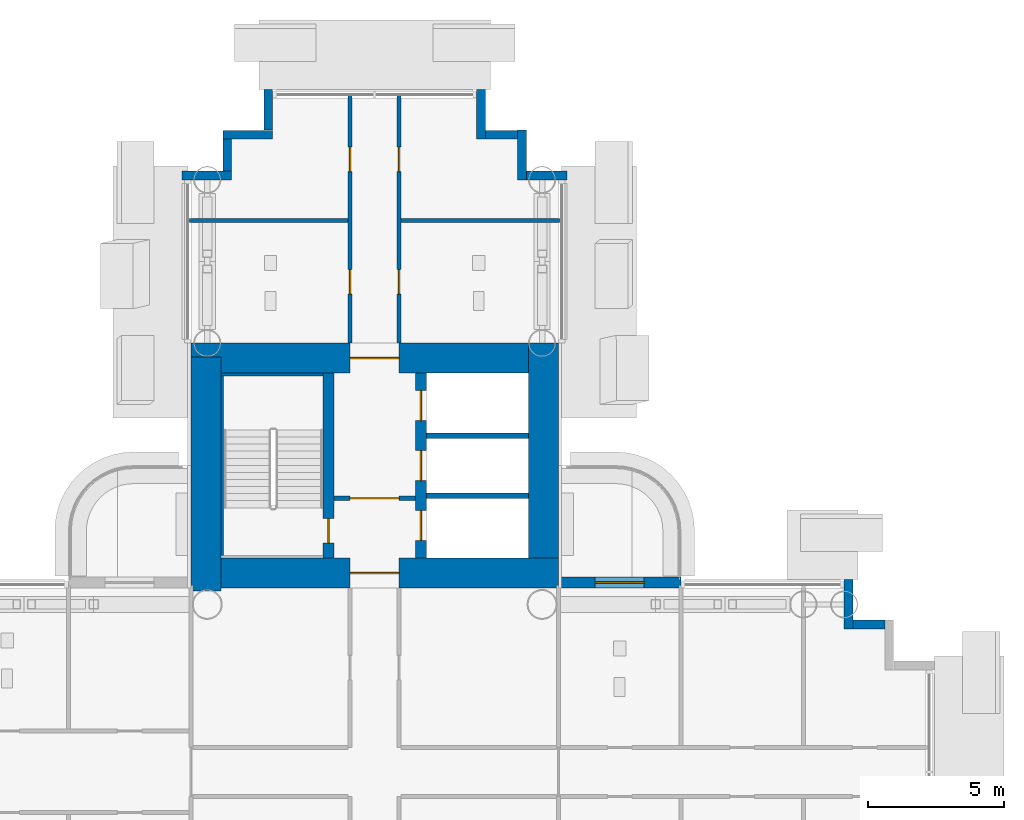
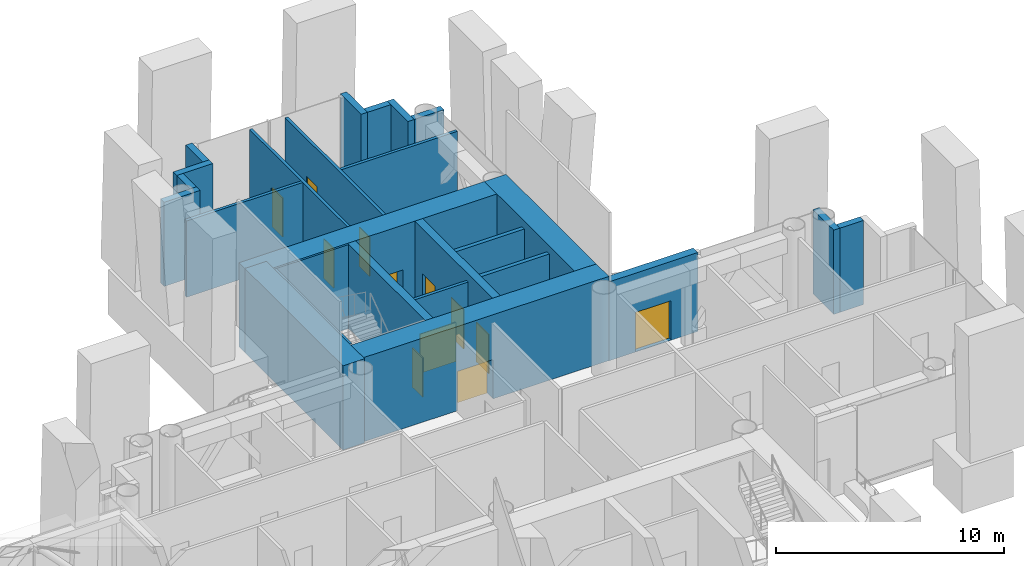
# One storey, part 18 of 27: 26 walls, 12 doors, 12 openings.
"""IFC4 building model written with IfcOpenShell, lengths in metres."""

from ifc_helpers import new_model, si_unit, direction, frame, frame_2d, origin, place, context, subcontext, project, spatial, rectangle, extrude, material, layer, layer_set, type_object, element, fill, save


model = new_model("IFC4")

# Units and contexts
model_context = context("Model", 3, precision=1e-05, world=origin(), true_north=direction((0.0, 1.0)))
body_context = subcontext(model_context, "Body", "Model", "MODEL_VIEW")
ifc_project = project(units=[si_unit("LENGTHUNIT", "METRE"), si_unit("AREAUNIT", "SQUARE_METRE"), si_unit("VOLUMEUNIT", "CUBIC_METRE"), si_unit("PLANEANGLEUNIT", "RADIAN"), si_unit("MASSUNIT", "GRAM", prefix="KILO")], contexts=[model_context])

# Site, building, storey
site_placement = place(None, origin())
site = spatial("IfcSite", under=ifc_project, at=site_placement, CompositionType="ELEMENT")
building_placement = place(site_placement, origin())
building = spatial("IfcBuilding", under=site, at=building_placement, Name="Ipe Terrace Towers", CompositionType="ELEMENT")
storey_placement = place(building_placement, frame((0.0, 0.0, 72.10009765625)))
storey = spatial("IfcBuildingStorey", under=building, at=storey_placement, Name="L19", CompositionType="ELEMENT", Elevation=72.10009765625)

# Wall, opening, door
ifc_material_1 = material(Name="Concrete C40/50 with buff precast cladding", Category="concrete")
ifc_layer_1 = layer(ifc_material_1, 0.39990234375)
ifc_layer_set_1 = layer_set([ifc_layer_1], Name="BALCONY BAY WALL 400")
wall_type_1 = type_object("IfcWallType", Name="BALCONY BAY WALL 400", PredefinedType="STANDARD", material=ifc_layer_set_1)
wall_1_placement = place(storey_placement, frame((47.25, 6.949951171875, -0.02001953125), z_axis=(0.0, 0.0, 1.0), x_axis=(-1.0, 0.0, 0.0)))
wall_1 = element("IfcWall", 1, at=wall_1_placement, inside=storey, type_object=wall_type_1, Name="T2-W-L19-18a wall", PredefinedType="STANDARD", context=body_context, shape_type="SweptSolid", body=[
    extrude(rectangle(XDim=4.5, YDim=0.39990234375, at=frame_2d((2.25, 0.0))), origin(), (0.0, 0.0, 1.0), 4.219970703125),
])
opening_1_placement = place(wall_1_placement, frame((1.35009765625, 0.0, 0.02001953125)))
opening_1 = element("IfcOpeningElement", 2, at=opening_1_placement, cuts=wall_1, Name="Opening T2-D-L19-18", PredefinedType="OPENING", context=body_context, shape_type="SweptSolid", body=[
    extrude(rectangle(XDim=1.800048828125, YDim=2.10009765625, at=frame_2d((0.89990234375, 1.050048828125))), frame((0.0, 0.2099609375, 0.0), z_axis=(0.0, -1.0, 0.0), x_axis=(1.0, 0.0, 0.0)), (0.0, 0.0, 1.0), 0.419921875),
])
ifc_material_2 = material(Name="Aluminium alloy 6063-T6 framed glazed door", Category="aluminium")
door_type_1 = type_object("IfcDoorType", Name="BALCONY DOOR 1800 x 2100 RIGHT", OperationType="SINGLE_SWING_RIGHT", PredefinedType="DOOR", material=ifc_material_2)
door_1_placement = place(opening_1_placement, origin())
door_1 = element("IfcDoor", 3, at=door_1_placement, inside=storey, type_object=door_type_1, Name="DB2 door", OperationType="SINGLE_SWING_RIGHT", OverallHeight=2.10009765625, OverallWidth=1.800048828125, PredefinedType="DOOR", context=body_context, shape_type="SweptSolid", body=[
    extrude(rectangle(XDim=1.800048828125, YDim=2.10009765625, at=frame_2d((0.89990234375, 1.050048828125))), frame((0.0, 0.02490234375, 0.0), z_axis=(0.0, -1.0, 0.0), x_axis=(1.0, 0.0, 0.0)), (0.0, 0.0, 1.0), 0.050048828125),
])
fill(opening_1, door_1)

# Walls
ifc_material_3 = material(Name="Concrete C40/50 with buff precast cladding", Category="concrete")
ifc_layer_2 = layer(ifc_material_3, 0.320068359375)
ifc_layer_set_2 = layer_set([ifc_layer_2], Name="BUFF CLADDING WALL 320")
wall_type_2 = type_object("IfcWallType", Name="BUFF CLADDING WALL 320", PredefinedType="STANDARD", material=ifc_layer_set_2)
wall_2_placement = place(storey_placement, frame((54.75, 5.409912109375, -0.300048828125), z_axis=(0.0, 0.0, 1.0), x_axis=(-1.0, 0.0, 0.0)))
element("IfcWall", 4, at=wall_2_placement, inside=storey, type_object=wall_type_2, Name="T2-W-L19-15a wall", PredefinedType="STANDARD", context=body_context, shape_type="SweptSolid", body=[
    extrude(rectangle(XDim=1.179931640625, YDim=0.320068359375, at=frame_2d((0.58984375, 0.0))), origin(), (0.0, 0.0, 1.0), 4.5),
])
wall_3_placement = place(storey_placement, frame((53.409912109375, 5.25, -0.300048828125), z_axis=(0.0, 0.0, 1.0), x_axis=(0.0, 1.0, 0.0)))
element("IfcWall", 5, at=wall_3_placement, inside=storey, type_object=wall_type_2, Name="T2-W-L19-16a wall", PredefinedType="STANDARD", context=body_context, shape_type="SweptSolid", body=[
    extrude(rectangle(XDim=1.820068359375, YDim=0.320068359375, at=frame_2d((0.91015625, 0.0))), origin(), (0.0, 0.0, 1.0), 4.5),
])
wall_4_placement = place(storey_placement, frame((43.070068359375, 21.909912109375, -0.300048828125), z_axis=(0.0, 0.0, 1.0), x_axis=(-1.0, 0.0, 0.0)))
element("IfcWall", 6, at=wall_4_placement, inside=storey, type_object=wall_type_2, Name="T2-W-L19-21a wall", PredefinedType="STANDARD", context=body_context, shape_type="SweptSolid", body=[
    extrude(rectangle(XDim=1.5, YDim=0.320068359375, at=frame_2d((0.75, 0.0))), origin(), (0.0, 0.0, 1.0), 4.5),
])
wall_5_placement = place(storey_placement, frame((41.409912109375, 21.75, -0.300048828125), z_axis=(0.0, 0.0, 1.0), x_axis=(0.0, 1.0, 0.0)))
element("IfcWall", 7, at=wall_5_placement, inside=storey, type_object=wall_type_2, Name="T2-W-L19-22a wall", PredefinedType="STANDARD", context=body_context, shape_type="SweptSolid", body=[
    extrude(rectangle(XDim=1.820068359375, YDim=0.320068359375, at=frame_2d((0.91015625, 0.0))), origin(), (0.0, 0.0, 1.0), 4.5),
])
wall_6_placement = place(storey_placement, frame((41.25, 23.409912109375, -0.300048828125), z_axis=(0.0, 0.0, 1.0), x_axis=(-1.0, 0.0, 0.0)))
element("IfcWall", 8, at=wall_6_placement, inside=storey, type_object=wall_type_2, Name="T2-W-L19-23a wall", PredefinedType="STANDARD", context=body_context, shape_type="SweptSolid", body=[
    extrude(rectangle(XDim=1.179931640625, YDim=0.320068359375, at=frame_2d((0.58984375, 0.0))), origin(), (0.0, 0.0, 1.0), 4.5),
])
wall_7_placement = place(storey_placement, frame((39.909912109375, 23.25, -0.300048828125), z_axis=(0.0, 0.0, 1.0), x_axis=(0.0, 1.0, 0.0)))
element("IfcWall", 9, at=wall_7_placement, inside=storey, type_object=wall_type_2, Name="T2-W-L19-24a wall", PredefinedType="STANDARD", context=body_context, shape_type="SweptSolid", body=[
    extrude(rectangle(XDim=1.820068359375, YDim=0.320068359375, at=frame_2d((0.91015625, 0.0))), origin(), (0.0, 0.0, 1.0), 4.5),
])
wall_8_placement = place(storey_placement, frame((32.090087890625, 25.070068359375, -0.300048828125), z_axis=(0.0, 0.0, 1.0), x_axis=(0.0, -1.0, 0.0)))
element("IfcWall", 10, at=wall_8_placement, inside=storey, type_object=wall_type_2, Name="T2-W-L19-26a wall", PredefinedType="STANDARD", context=body_context, shape_type="SweptSolid", body=[
    extrude(rectangle(XDim=1.5, YDim=0.320068359375, at=frame_2d((0.75, 0.0))), origin(), (0.0, 0.0, 1.0), 4.5),
])
wall_9_placement = place(storey_placement, frame((32.25, 23.409912109375, -0.300048828125), z_axis=(0.0, 0.0, 1.0), x_axis=(-1.0, 0.0, 0.0)))
element("IfcWall", 11, at=wall_9_placement, inside=storey, type_object=wall_type_2, Name="T2-W-L19-27a wall", PredefinedType="STANDARD", context=body_context, shape_type="SweptSolid", body=[
    extrude(rectangle(XDim=1.820068359375, YDim=0.320068359375, at=frame_2d((0.91015625, 0.0))), origin(), (0.0, 0.0, 1.0), 4.5),
])
wall_10_placement = place(storey_placement, frame((30.590087890625, 23.25, -0.300048828125), z_axis=(0.0, 0.0, 1.0), x_axis=(0.0, -1.0, 0.0)))
element("IfcWall", 12, at=wall_10_placement, inside=storey, type_object=wall_type_2, Name="T2-W-L19-28a wall", PredefinedType="STANDARD", context=body_context, shape_type="SweptSolid", body=[
    extrude(rectangle(XDim=1.179931640625, YDim=0.320068359375, at=frame_2d((0.58984375, 0.0))), origin(), (0.0, 0.0, 1.0), 4.5),
])
wall_11_placement = place(storey_placement, frame((30.75, 21.909912109375, -0.300048828125), z_axis=(0.0, 0.0, 1.0), x_axis=(-1.0, 0.0, 0.0)))
element("IfcWall", 13, at=wall_11_placement, inside=storey, type_object=wall_type_2, Name="T2-W-L19-29a wall", PredefinedType="STANDARD", context=body_context, shape_type="SweptSolid", body=[
    extrude(rectangle(XDim=1.820068359375, YDim=0.320068359375, at=frame_2d((0.91015625, 0.0))), origin(), (0.0, 0.0, 1.0), 4.5),
])

# Wall, opening, door
ifc_material_4 = material(Name="Gypsum board partition", Category="plasterboard")
ifc_layer_3 = layer(ifc_material_4, 0.14990234375)
ifc_layer_set_3 = layer_set([ifc_layer_3], Name="Gypsum board partition 150 mm")
wall_type_3 = type_object("IfcWallType", Name="Gypsum board partition 150 mm", PredefinedType="PARTITIONING", material=ifc_layer_set_3)
wall_12_placement = place(storey_placement, frame((37.5, 10.050048828125, 0.0), z_axis=(0.0, 0.0, 1.0), x_axis=(-1.0, 0.0, 0.0)))
wall_12 = element("IfcWall", 14, at=wall_12_placement, inside=storey, type_object=wall_type_3, Name="Gypsum board partition T2 L19 t2c1-lobby-wall", PredefinedType="PARTITIONING", context=body_context, shape_type="SweptSolid", body=[
    extrude(rectangle(XDim=3.0, YDim=0.14990234375, at=frame_2d((1.5, 0.0))), origin(), (0.0, 0.0, 1.0), 4.079833984375),
])
opening_2_placement = place(wall_12_placement, frame((0.60009765625, 0.0, 0.0)))
opening_2 = element("IfcOpeningElement", 15, at=opening_2_placement, cuts=wall_12, Name="Opening T2C1-VD", PredefinedType="OPENING", context=body_context, shape_type="SweptSolid", body=[
    extrude(rectangle(XDim=1.800048828125, YDim=2.10009765625, at=frame_2d((0.89990234375, 1.050048828125))), frame((0.0, 0.0849609375, 0.0), z_axis=(0.0, -1.0, 0.0), x_axis=(1.0, 0.0, 0.0)), (0.0, 0.0, 1.0), 0.169921875),
])
ifc_material_5 = material(Name="Fire-rated timber door leaf", Category="wood")
door_type_2 = type_object("IfcDoorType", Name="Lobby door 1800 x 2100 FD60", OperationType="NOTDEFINED", PredefinedType="DOOR", material=ifc_material_5)
door_2_placement = place(opening_2_placement, origin())
door_2 = element("IfcDoor", 16, at=door_2_placement, inside=storey, type_object=door_type_2, Name="Lobby door T2C1-VD", OperationType="SINGLE_SWING_LEFT", OverallHeight=2.10009765625, OverallWidth=1.800048828125, PredefinedType="DOOR", context=body_context, shape_type="SweptSolid", body=[
    extrude(rectangle(XDim=1.800048828125, YDim=2.10009765625, at=frame_2d((0.89990234375, 1.050048828125))), frame((0.0, 0.02490234375, 0.0), z_axis=(0.0, -1.0, 0.0), x_axis=(1.0, 0.0, 0.0)), (0.0, 0.0, 1.0), 0.050048828125),
])
fill(opening_2, door_2)

# Wall, openings, doors
wall_13_placement = place(storey_placement, frame((35.10009765625, 15.75, 0.0), z_axis=(0.0, 0.0, 1.0), x_axis=(0.0, 1.0, 0.0)))
wall_13 = element("IfcWall", 17, at=wall_13_placement, inside=storey, type_object=wall_type_3, Name="Gypsum board partition T2 L19 sp-Lp-wp", PredefinedType="PARTITIONING", context=body_context, shape_type="SweptSolid", body=[
    extrude(rectangle(XDim=9.10009765625, YDim=0.14990234375, at=frame_2d((4.550048828125, 0.0))), origin(), (0.0, 0.0, 1.0), 4.079833984375),
])
opening_3_placement = place(wall_13_placement, frame((1.800048828125, 0.0, 0.0)))
opening_3 = element("IfcOpeningElement", 18, at=opening_3_placement, cuts=wall_13, Name="Opening T2-SP-PLp1", PredefinedType="OPENING", context=body_context, shape_type="SweptSolid", body=[
    extrude(rectangle(XDim=0.89990234375, YDim=2.10009765625, at=frame_2d((0.449951171875, 1.050048828125))), frame((0.0, 0.0849609375, 0.0), z_axis=(0.0, -1.0, 0.0), x_axis=(1.0, 0.0, 0.0)), (0.0, 0.0, 1.0), 0.169921875),
])
opening_4_placement = place(wall_13_placement, frame((6.300048828125, 0.0, 0.0)))
opening_4 = element("IfcOpeningElement", 19, at=opening_4_placement, cuts=wall_13, Name="Opening T2-SP-PLp2", PredefinedType="OPENING", context=body_context, shape_type="SweptSolid", body=[
    extrude(rectangle(XDim=0.89990234375, YDim=2.10009765625, at=frame_2d((0.449951171875, 1.050048828125))), frame((0.0, 0.0849609375, 0.0), z_axis=(0.0, -1.0, 0.0), x_axis=(1.0, 0.0, 0.0)), (0.0, 0.0, 1.0), 0.169921875),
])
ifc_material_6 = material(Name="Timber door leaf", Category="wood")
door_type_3 = type_object("IfcDoorType", Name="Lounge door 900 x 2100", OperationType="NOTDEFINED", PredefinedType="DOOR", material=ifc_material_6)
door_3_placement = place(opening_3_placement, origin())
door_3 = element("IfcDoor", 20, at=door_3_placement, inside=storey, type_object=door_type_3, Name="Lounge door T2-SP-PLp1", OperationType="SINGLE_SWING_RIGHT", OverallHeight=2.10009765625, OverallWidth=0.89990234375, PredefinedType="DOOR", context=body_context, shape_type="SweptSolid", body=[
    extrude(rectangle(XDim=0.89990234375, YDim=2.10009765625, at=frame_2d((0.449951171875, 1.050048828125))), frame((0.0, 0.02490234375, 0.0), z_axis=(0.0, -1.0, 0.0), x_axis=(1.0, 0.0, 0.0)), (0.0, 0.0, 1.0), 0.050048828125),
])
fill(opening_3, door_3)
ifc_material_7 = material(Name="Fire-rated timber door leaf", Category="wood")
door_type_4 = type_object("IfcDoorType", Name="Lounge door 900 x 2100 FD30S", OperationType="NOTDEFINED", PredefinedType="DOOR", material=ifc_material_7)
door_4_placement = place(opening_4_placement, origin())
door_4 = element("IfcDoor", 21, at=door_4_placement, inside=storey, type_object=door_type_4, Name="Lounge door T2-SP-PLp2", OperationType="SINGLE_SWING_LEFT", OverallHeight=2.10009765625, OverallWidth=0.89990234375, PredefinedType="DOOR", context=body_context, shape_type="SweptSolid", body=[
    extrude(rectangle(XDim=0.89990234375, YDim=2.10009765625, at=frame_2d((0.449951171875, 1.050048828125))), frame((0.0, 0.02490234375, 0.0), z_axis=(0.0, -1.0, 0.0), x_axis=(1.0, 0.0, 0.0)), (0.0, 0.0, 1.0), 0.050048828125),
])
fill(opening_4, door_4)

# Wall
wall_14_placement = place(storey_placement, frame((35.02490234375, 20.25, 0.0), z_axis=(0.0, 0.0, 1.0), x_axis=(-1.0, 0.0, 0.0)))
element("IfcWall", 22, at=wall_14_placement, inside=storey, type_object=wall_type_3, Name="Gypsum board partition T2 L19 sp-Lp-dp1", PredefinedType="PARTITIONING", context=body_context, shape_type="SweptSolid", body=[
    extrude(rectangle(XDim=5.875, YDim=0.14990234375, at=frame_2d((2.9375, 0.0))), origin(), (0.0, 0.0, 1.0), 4.079833984375),
])

# Wall, openings, doors
wall_15_placement = place(storey_placement, frame((36.89990234375, 15.75, 0.0), z_axis=(0.0, 0.0, 1.0), x_axis=(0.0, 1.0, 0.0)))
wall_15 = element("IfcWall", 23, at=wall_15_placement, inside=storey, type_object=wall_type_3, Name="Gypsum board partition T2 L19 sp-Lp-wm", PredefinedType="PARTITIONING", context=body_context, shape_type="SweptSolid", body=[
    extrude(rectangle(XDim=9.10009765625, YDim=0.14990234375, at=frame_2d((4.550048828125, 0.0))), origin(), (0.0, 0.0, 1.0), 4.079833984375),
])
opening_5_placement = place(wall_15_placement, frame((1.800048828125, 0.0, 0.0)))
opening_5 = element("IfcOpeningElement", 24, at=opening_5_placement, cuts=wall_15, Name="Opening T2-SP-MLp1", PredefinedType="OPENING", context=body_context, shape_type="SweptSolid", body=[
    extrude(rectangle(XDim=0.89990234375, YDim=2.10009765625, at=frame_2d((0.449951171875, 1.050048828125))), frame((0.0, 0.0849609375, 0.0), z_axis=(0.0, -1.0, 0.0), x_axis=(1.0, 0.0, 0.0)), (0.0, 0.0, 1.0), 0.169921875),
])
opening_6_placement = place(wall_15_placement, frame((6.300048828125, 0.0, 0.0)))
opening_6 = element("IfcOpeningElement", 25, at=opening_6_placement, cuts=wall_15, Name="Opening T2-SP-MLp2", PredefinedType="OPENING", context=body_context, shape_type="SweptSolid", body=[
    extrude(rectangle(XDim=0.89990234375, YDim=2.10009765625, at=frame_2d((0.449951171875, 1.050048828125))), frame((0.0, 0.0849609375, 0.0), z_axis=(0.0, -1.0, 0.0), x_axis=(1.0, 0.0, 0.0)), (0.0, 0.0, 1.0), 0.169921875),
])
door_5_placement = place(opening_5_placement, origin())
door_5 = element("IfcDoor", 26, at=door_5_placement, inside=storey, type_object=door_type_3, Name="Lounge door T2-SP-MLp1", OperationType="SINGLE_SWING_LEFT", OverallHeight=2.10009765625, OverallWidth=0.89990234375, PredefinedType="DOOR", context=body_context, shape_type="SweptSolid", body=[
    extrude(rectangle(XDim=0.89990234375, YDim=2.10009765625, at=frame_2d((0.449951171875, 1.050048828125))), frame((0.0, 0.02490234375, 0.0), z_axis=(0.0, -1.0, 0.0), x_axis=(1.0, 0.0, 0.0)), (0.0, 0.0, 1.0), 0.050048828125),
])
fill(opening_5, door_5)
door_6_placement = place(opening_6_placement, origin())
door_6 = element("IfcDoor", 27, at=door_6_placement, inside=storey, type_object=door_type_4, Name="Lounge door T2-SP-MLp2", OperationType="SINGLE_SWING_RIGHT", OverallHeight=2.10009765625, OverallWidth=0.89990234375, PredefinedType="DOOR", context=body_context, shape_type="SweptSolid", body=[
    extrude(rectangle(XDim=0.89990234375, YDim=2.10009765625, at=frame_2d((0.449951171875, 1.050048828125))), frame((0.0, 0.02490234375, 0.0), z_axis=(0.0, -1.0, 0.0), x_axis=(1.0, 0.0, 0.0)), (0.0, 0.0, 1.0), 0.050048828125),
])
fill(opening_6, door_6)

# Walls
wall_16_placement = place(storey_placement, frame((36.97509765625, 20.25, 0.0), z_axis=(0.0, 0.0, 1.0), x_axis=(1.0, 0.0, 0.0)))
element("IfcWall", 28, at=wall_16_placement, inside=storey, type_object=wall_type_3, Name="Gypsum board partition T2 L19 sp-Lp-dm1", PredefinedType="PARTITIONING", context=body_context, shape_type="SweptSolid", body=[
    extrude(rectangle(XDim=5.875, YDim=0.14990234375, at=frame_2d((2.9375, 0.0))), origin(), (0.0, 0.0, 1.0), 4.079833984375),
])
ifc_material_8 = material(Name="Gypsum board party wall", Category="plasterboard")
ifc_layer_4 = layer(ifc_material_8, 0.199951171875)
ifc_layer_set_4 = layer_set([ifc_layer_4], Name="Gypsum board party wall 200 mm")
wall_type_4 = type_object("IfcWallType", Name="Gypsum board party wall 200 mm", PredefinedType="SOLIDWALL", material=ifc_layer_set_4)
for number, where, z_axis, x_axis, name in (
    (29, (41.64990234375, 10.14990234375, 0.0), (0.0, 0.0, 1.0), (-1.0, 0.0, 0.0), "Gypsum board party wall T2 L19 t2c1-shaft-div1"),
    (30, (41.64990234375, 12.35009765625, 0.0), (0.0, 0.0, 1.0), (-1.0, 0.0, 0.0), "Gypsum board party wall T2 L19 t2c1-shaft-div2"),
):
    element("IfcWall", number, at=place(storey_placement, frame(where, z_axis=z_axis, x_axis=x_axis)), inside=storey, type_object=wall_type_4, Name=name, PredefinedType="SOLIDWALL", context=body_context, shape_type="SweptSolid", body=[
        extrude(rectangle(XDim=3.75, YDim=0.199951171875, at=frame_2d((1.875, 0.0))), origin(), (0.0, 0.0, 1.0), 4.079833984375),
    ])
ifc_material_9 = material(Name="Concrete C60/75", Category="concrete")
ifc_layer_5 = layer(ifc_material_9, 0.10009765625)
ifc_layer_set_5 = layer_set([ifc_layer_5], Name="RW100 CORE INFILL WALL 100 C60-75")
wall_type_5 = type_object("IfcWallType", Name="RW100 CORE INFILL WALL 100 C60-75", PredefinedType="SHEAR", material=ifc_layer_set_5)
wall_17_placement = place(storey_placement, frame((34.10009765625, 14.60009765625, 0.0), z_axis=(0.0, 0.0, 1.0), x_axis=(-1.0, 0.0, 0.0)))
element("IfcWall", 31, at=wall_17_placement, inside=storey, type_object=wall_type_5, Name="Core infill wall T2-C1-far", PredefinedType="SHEAR", context=body_context, shape_type="SweptSolid", body=[
    extrude(rectangle(XDim=3.75, YDim=0.10009765625, at=frame_2d((1.875, 0.0))), origin(), (0.0, 0.0, 1.0), 4.5),
])
wall_18_placement = place(storey_placement, frame((30.39990234375, 7.949951171875, 0.0), z_axis=(0.0, 0.0, 1.0), x_axis=(0.0, 1.0, 0.0)))
element("IfcWall", 32, at=wall_18_placement, inside=storey, type_object=wall_type_5, Name="Core infill wall T2-C1-back", PredefinedType="SHEAR", context=body_context, shape_type="SweptSolid", body=[
    extrude(rectangle(XDim=6.60009765625, YDim=0.10009765625, at=frame_2d((3.300048828125, 0.0))), origin(), (0.0, 0.0, 1.0), 4.5),
])

# Wall, opening, door
ifc_material_10 = material(Name="Concrete C60/75", Category="concrete")
ifc_layer_6 = layer(ifc_material_10, 1.10009765625)
ifc_layer_set_6 = layer_set([ifc_layer_6], Name="RW1100 CORE WALL 1100 C60-75")
wall_type_6 = type_object("IfcWallType", Name="RW1100 CORE WALL 1100 C60-75", PredefinedType="SHEAR", material=ifc_layer_set_6)
wall_19_placement = place(storey_placement, frame((30.35009765625, 7.300048828125, 0.0), z_axis=(0.0, 0.0, 1.0), x_axis=(1.0, 0.0, 0.0)))
wall_19 = element("IfcWall", 33, at=wall_19_placement, inside=storey, type_object=wall_type_6, Name="Core wall T2-C1-Z1-W01", PredefinedType="SHEAR", context=body_context, shape_type="SweptSolid", body=[
    extrude(rectangle(XDim=12.39990234375, YDim=1.10009765625, at=frame_2d((6.199951171875, 0.0))), origin(), (0.0, 0.0, 1.0), 4.5),
])
opening_7_placement = place(wall_19_placement, frame((4.75, 0.0, 0.0)))
opening_7 = element("IfcOpeningElement", 34, at=opening_7_placement, cuts=wall_19, Name="Opening T2C1-ND", PredefinedType="OPENING", context=body_context, shape_type="SweptSolid", body=[
    extrude(rectangle(XDim=1.800048828125, YDim=2.10009765625, at=frame_2d((0.89990234375, 1.050048828125))), frame((0.0, 0.56005859375, 0.0), z_axis=(0.0, -1.0, 0.0), x_axis=(1.0, 0.0, 0.0)), (0.0, 0.0, 1.0), 1.1201171875),
])
ifc_material_11 = material(Name="Fire-rated timber door leaf", Category="wood")
door_type_5 = type_object("IfcDoorType", Name="Fire door 1800 x 2100 FD30S", OperationType="NOTDEFINED", PredefinedType="DOOR", material=ifc_material_11)
door_7_placement = place(opening_7_placement, origin())
door_7 = element("IfcDoor", 35, at=door_7_placement, inside=storey, type_object=door_type_5, Name="Fire door T2C1-ND", OperationType="SINGLE_SWING_LEFT", OverallHeight=2.10009765625, OverallWidth=1.800048828125, PredefinedType="DOOR", context=body_context, shape_type="SweptSolid", body=[
    extrude(rectangle(XDim=1.800048828125, YDim=2.10009765625, at=frame_2d((0.89990234375, 1.050048828125))), frame((0.0, 0.02490234375, 0.0), z_axis=(0.0, -1.0, 0.0), x_axis=(1.0, 0.0, 0.0)), (0.0, 0.0, 1.0), 0.050048828125),
])
fill(opening_7, door_7)

# Wall
wall_20_placement = place(storey_placement, frame((42.199951171875, 7.85009765625, 0.0), z_axis=(0.0, 0.0, 1.0), x_axis=(0.0, 1.0, 0.0)))
element("IfcWall", 36, at=wall_20_placement, inside=storey, type_object=wall_type_6, Name="Core wall T2-C1-Z1-W02", PredefinedType="SHEAR", context=body_context, shape_type="SweptSolid", body=[
    extrude(rectangle(XDim=7.89990234375, YDim=1.10009765625, at=frame_2d((3.949951171875, 0.0))), origin(), (0.0, 0.0, 1.0), 4.5),
])

# Wall, opening, door
wall_21_placement = place(storey_placement, frame((41.64990234375, 15.199951171875, 0.0), z_axis=(0.0, 0.0, 1.0), x_axis=(-1.0, 0.0, 0.0)))
wall_21 = element("IfcWall", 37, at=wall_21_placement, inside=storey, type_object=wall_type_6, Name="Core wall T2-C1-Z1-W03", PredefinedType="SHEAR", context=body_context, shape_type="SweptSolid", body=[
    extrude(rectangle(XDim=12.39990234375, YDim=1.10009765625, at=frame_2d((6.199951171875, 0.0))), origin(), (0.0, 0.0, 1.0), 4.5),
])
opening_8_placement = place(wall_21_placement, frame((4.75, 0.0, 0.0)))
opening_8 = element("IfcOpeningElement", 38, at=opening_8_placement, cuts=wall_21, Name="Opening T2C1-FD", PredefinedType="OPENING", context=body_context, shape_type="SweptSolid", body=[
    extrude(rectangle(XDim=1.800048828125, YDim=2.10009765625, at=frame_2d((0.89990234375, 1.050048828125))), frame((0.0, 0.56005859375, 0.0), z_axis=(0.0, -1.0, 0.0), x_axis=(1.0, 0.0, 0.0)), (0.0, 0.0, 1.0), 1.1201171875),
])
door_8_placement = place(opening_8_placement, origin())
door_8 = element("IfcDoor", 39, at=door_8_placement, inside=storey, type_object=door_type_5, Name="Fire door T2C1-FD", OperationType="SINGLE_SWING_LEFT", OverallHeight=2.10009765625, OverallWidth=1.800048828125, PredefinedType="DOOR", context=body_context, shape_type="SweptSolid", body=[
    extrude(rectangle(XDim=1.800048828125, YDim=2.10009765625, at=frame_2d((0.89990234375, 1.050048828125))), frame((0.0, 0.02490234375, 0.0), z_axis=(0.0, -1.0, 0.0), x_axis=(1.0, 0.0, 0.0)), (0.0, 0.0, 1.0), 0.050048828125),
])
fill(opening_8, door_8)

# Wall
wall_22_placement = place(storey_placement, frame((29.800048828125, 15.248046875, 0.0), z_axis=(0.0, 0.0, 1.0), x_axis=(0.0, -1.0, 0.0)))
element("IfcWall", 40, at=wall_22_placement, inside=storey, type_object=wall_type_6, Name="Core wall T2-C1-Z1-W04", PredefinedType="SHEAR", context=body_context, shape_type="SweptSolid", body=[
    extrude(rectangle(XDim=8.595947265625, YDim=1.10009765625, at=frame_2d((4.2978515625, 0.0))), origin(), (0.0, 0.0, 1.0), 4.5),
])

# Wall, opening, door
ifc_material_12 = material(Name="Concrete C60/75", Category="concrete")
ifc_layer_7 = layer(ifc_material_12, 0.39990234375)
ifc_layer_set_7 = layer_set([ifc_layer_7], Name="RW400 CORE SPINE WALL 400 C60-75")
wall_type_7 = type_object("IfcWallType", Name="RW400 CORE SPINE WALL 400 C60-75", PredefinedType="SHEAR", material=ifc_layer_set_7)
wall_23_placement = place(storey_placement, frame((34.300048828125, 7.85009765625, 0.0), z_axis=(0.0, 0.0, 1.0), x_axis=(0.0, 1.0, 0.0)))
wall_23 = element("IfcWall", 41, at=wall_23_placement, inside=storey, type_object=wall_type_7, Name="Core spine wall T2-C1-Z1-SW1", PredefinedType="SHEAR", context=body_context, shape_type="SweptSolid", body=[
    extrude(rectangle(XDim=6.7998046875, YDim=0.39990234375, at=frame_2d((3.39990234375, 0.0))), origin(), (0.0, 0.0, 1.0), 4.5),
])
opening_9_placement = place(wall_23_placement, frame((0.550048828125, 0.0, 0.0)))
opening_9 = element("IfcOpeningElement", 42, at=opening_9_placement, cuts=wall_23, Name="Opening T2C1-SD", PredefinedType="OPENING", context=body_context, shape_type="SweptSolid", body=[
    extrude(rectangle(XDim=0.89990234375, YDim=2.10009765625, at=frame_2d((0.449951171875, 1.050048828125))), frame((0.0, 0.2099609375, 0.0), z_axis=(0.0, -1.0, 0.0), x_axis=(1.0, 0.0, 0.0)), (0.0, 0.0, 1.0), 0.419921875),
])
ifc_material_13 = material(Name="Fire-rated timber door leaf", Category="wood")
door_type_6 = type_object("IfcDoorType", Name="Stair door 900 x 2100 FD60", OperationType="NOTDEFINED", PredefinedType="DOOR", material=ifc_material_13)
door_9_placement = place(opening_9_placement, origin())
door_9 = element("IfcDoor", 43, at=door_9_placement, inside=storey, type_object=door_type_6, Name="Stair door T2C1-SD", OperationType="SINGLE_SWING_LEFT", OverallHeight=2.10009765625, OverallWidth=0.89990234375, PredefinedType="DOOR", context=body_context, shape_type="SweptSolid", body=[
    extrude(rectangle(XDim=0.89990234375, YDim=2.10009765625, at=frame_2d((0.449951171875, 1.050048828125))), frame((0.0, 0.02490234375, 0.0), z_axis=(0.0, -1.0, 0.0), x_axis=(1.0, 0.0, 0.0)), (0.0, 0.0, 1.0), 0.050048828125),
])
fill(opening_9, door_9)

# Wall, openings, doors
wall_24_placement = place(storey_placement, frame((37.699951171875, 7.85009765625, 0.0), z_axis=(0.0, 0.0, 1.0), x_axis=(0.0, 1.0, 0.0)))
wall_24 = element("IfcWall", 44, at=wall_24_placement, inside=storey, type_object=wall_type_7, Name="Core spine wall T2-C1-Z1-SW2", PredefinedType="SHEAR", context=body_context, shape_type="SweptSolid", body=[
    extrude(rectangle(XDim=6.7998046875, YDim=0.39990234375, at=frame_2d((3.39990234375, 0.0))), origin(), (0.0, 0.0, 1.0), 4.5),
])
opening_10_placement = place(wall_24_placement, frame((0.64990234375, 0.0, 0.0)))
opening_10 = element("IfcOpeningElement", 45, at=opening_10_placement, cuts=wall_24, Name="Opening T2C1-LD1", PredefinedType="OPENING", context=body_context, shape_type="SweptSolid", body=[
    extrude(rectangle(XDim=1.10009765625, YDim=2.10009765625, at=frame_2d((0.550048828125, 1.050048828125))), frame((0.0, 0.2099609375, 0.0), z_axis=(0.0, -1.0, 0.0), x_axis=(1.0, 0.0, 0.0)), (0.0, 0.0, 1.0), 0.419921875),
])
opening_11_placement = place(wall_24_placement, frame((2.85009765625, 0.0, 0.0)))
opening_11 = element("IfcOpeningElement", 46, at=opening_11_placement, cuts=wall_24, Name="Opening T2C1-LD2", PredefinedType="OPENING", context=body_context, shape_type="SweptSolid", body=[
    extrude(rectangle(XDim=1.10009765625, YDim=2.10009765625, at=frame_2d((0.550048828125, 1.050048828125))), frame((0.0, 0.2099609375, 0.0), z_axis=(0.0, -1.0, 0.0), x_axis=(1.0, 0.0, 0.0)), (0.0, 0.0, 1.0), 0.419921875),
])
opening_12_placement = place(wall_24_placement, frame((5.050048828125, 0.0, 0.0)))
opening_12 = element("IfcOpeningElement", 47, at=opening_12_placement, cuts=wall_24, Name="Opening T2C1-LD3", PredefinedType="OPENING", context=body_context, shape_type="SweptSolid", body=[
    extrude(rectangle(XDim=1.10009765625, YDim=2.10009765625, at=frame_2d((0.550048828125, 1.050048828125))), frame((0.0, 0.2099609375, 0.0), z_axis=(0.0, -1.0, 0.0), x_axis=(1.0, 0.0, 0.0)), (0.0, 0.0, 1.0), 0.419921875),
])
ifc_material_14 = material(Name="Fire-rated timber door leaf", Category="wood")
door_type_7 = type_object("IfcDoorType", Name="Sliding door 1100 x 2100 FD60", OperationType="SLIDING_TO_LEFT", PredefinedType="DOOR", material=ifc_material_14)
door_10_placement = place(opening_10_placement, origin())
door_10 = element("IfcDoor", 48, at=door_10_placement, inside=storey, type_object=door_type_7, Name="Sliding door T2C1-LD1", OperationType="SLIDING_TO_LEFT", OverallHeight=2.10009765625, OverallWidth=1.10009765625, PredefinedType="DOOR", context=body_context, shape_type="SweptSolid", body=[
    extrude(rectangle(XDim=1.10009765625, YDim=2.10009765625, at=frame_2d((0.550048828125, 1.050048828125))), frame((0.0, 0.02490234375, 0.0), z_axis=(0.0, -1.0, 0.0), x_axis=(1.0, 0.0, 0.0)), (0.0, 0.0, 1.0), 0.050048828125),
])
fill(opening_10, door_10)
door_11_placement = place(opening_11_placement, origin())
door_11 = element("IfcDoor", 49, at=door_11_placement, inside=storey, type_object=door_type_7, Name="Sliding door T2C1-LD2", OperationType="SLIDING_TO_LEFT", OverallHeight=2.10009765625, OverallWidth=1.10009765625, PredefinedType="DOOR", context=body_context, shape_type="SweptSolid", body=[
    extrude(rectangle(XDim=1.10009765625, YDim=2.10009765625, at=frame_2d((0.550048828125, 1.050048828125))), frame((0.0, 0.02490234375, 0.0), z_axis=(0.0, -1.0, 0.0), x_axis=(1.0, 0.0, 0.0)), (0.0, 0.0, 1.0), 0.050048828125),
])
fill(opening_11, door_11)
door_12_placement = place(opening_12_placement, origin())
door_12 = element("IfcDoor", 50, at=door_12_placement, inside=storey, type_object=door_type_7, Name="Sliding door T2C1-LD3", OperationType="SLIDING_TO_LEFT", OverallHeight=2.10009765625, OverallWidth=1.10009765625, PredefinedType="DOOR", context=body_context, shape_type="SweptSolid", body=[
    extrude(rectangle(XDim=1.10009765625, YDim=2.10009765625, at=frame_2d((0.550048828125, 1.050048828125))), frame((0.0, 0.02490234375, 0.0), z_axis=(0.0, -1.0, 0.0), x_axis=(1.0, 0.0, 0.0)), (0.0, 0.0, 1.0), 0.050048828125),
])
fill(opening_12, door_12)

save(model, "model.ifc")
